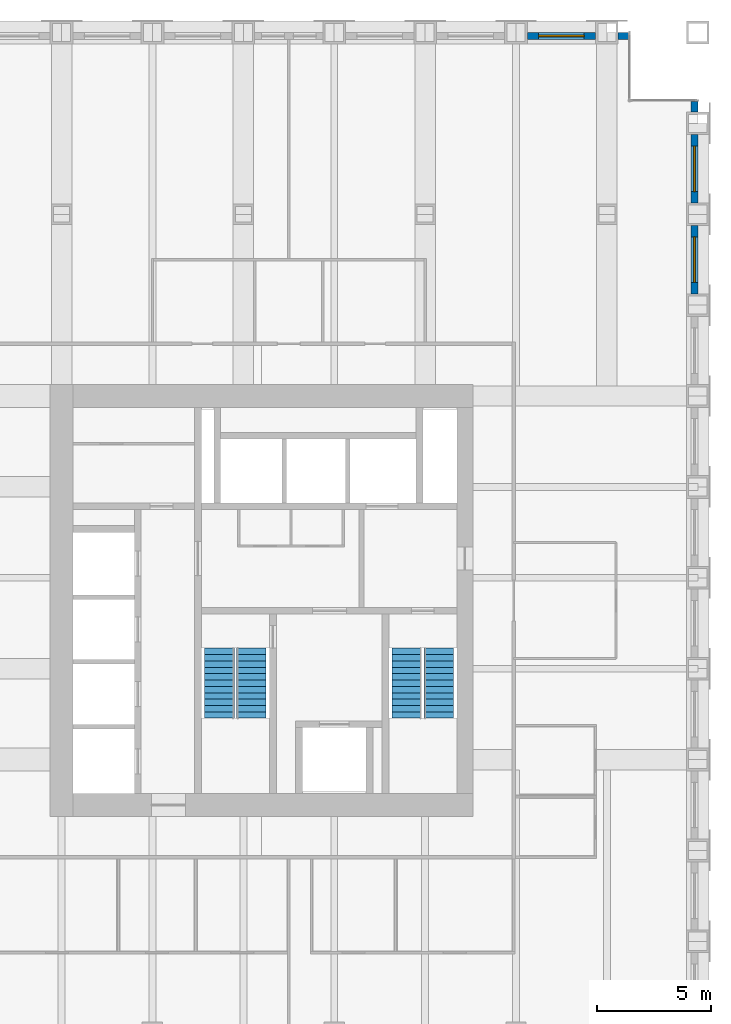
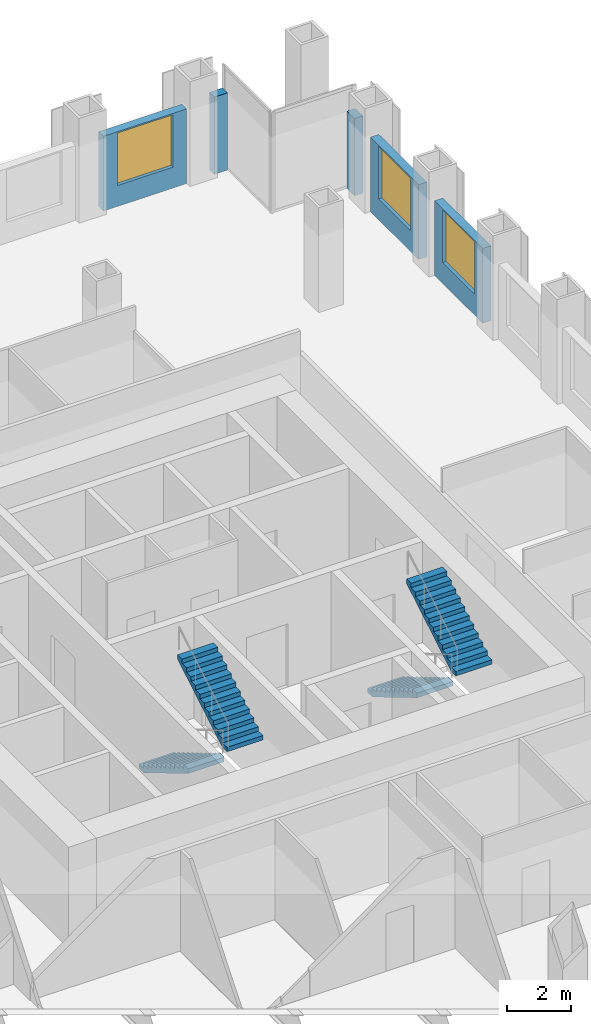
# One storey, part 11 of 12: 5 walls, 4 stair flights, 3 windows, 3 openings, 2 elements without a shape of their own.
"""IFC4 building model written with IfcOpenShell, lengths in metres."""

from ifc_helpers import new_model, si_unit, direction, frame, frame_2d, origin, place, context, subcontext, project, spatial, polyline, rectangle, outline, extrude, material, layer, layer_set, type_object, element, fill, aggregate, save


model = new_model("IFC4")

# Units and contexts
model_context = context("Model", 3, precision=1e-05, world=origin(), true_north=direction((0.0, 1.0)))
body_context = subcontext(model_context, "Body", "Model", "MODEL_VIEW")
ifc_project = project(units=[si_unit("LENGTHUNIT", "METRE"), si_unit("AREAUNIT", "SQUARE_METRE"), si_unit("VOLUMEUNIT", "CUBIC_METRE"), si_unit("PLANEANGLEUNIT", "RADIAN"), si_unit("MASSUNIT", "GRAM", prefix="KILO")], contexts=[model_context])

# Site, building, storey
site_placement = place(None, origin())
site = spatial("IfcSite", under=ifc_project, at=site_placement, CompositionType="ELEMENT")
building_placement = place(site_placement, origin())
building = spatial("IfcBuilding", under=site, at=building_placement, Name="Rimbunsela Tower", CompositionType="ELEMENT")
storey_placement = place(building_placement, frame((0.0, 0.0, 147.800048828125)))
storey = spatial("IfcBuildingStorey", under=building, at=storey_placement, Name="L35", CompositionType="ELEMENT", Elevation=147.800048828125)

# Wall, opening, window
ifc_material_1 = material(Name="Precast concrete fc' 35 MPa", Category="concrete")
ifc_layer = layer(ifc_material_1, 0.300048828125)
ifc_layer_set = layer_set([ifc_layer], Name="Precast concrete fc' 35 MPa")
wall_type = type_object("IfcWallType", Name="Precast facade panel 300", PredefinedType="ELEMENTEDWALL", material=ifc_layer_set)
wall_1_placement = place(storey_placement, frame((45.85009765625, 40.5, 0.0), z_axis=(0.0, 0.0, 1.0), x_axis=(0.0, 1.0, 0.0)))
wall_1 = element("IfcWall", 1, at=wall_1_placement, inside=storey, type_object=wall_type, Name="Facade panel E L35", PredefinedType="ELEMENTEDWALL", context=body_context, shape_type="SweptSolid", body=[
    extrude(rectangle(XDim=3.0, YDim=0.300048828125, at=frame_2d((1.5, 0.0))), origin(), (0.0, 0.0, 1.0), 2.849853515625),
])
opening_1_placement = place(wall_1_placement, frame((0.5, 0.0, 0.800048828125)))
opening_1 = element("IfcOpeningElement", 2, at=opening_1_placement, cuts=wall_1, Name="Opening W1", PredefinedType="OPENING", context=body_context, shape_type="SweptSolid", body=[
    extrude(rectangle(XDim=2.0, YDim=2.0, at=frame_2d((1.0, 1.0))), frame((0.0, 0.159912109375, 0.0), z_axis=(0.0, -1.0, 0.0), x_axis=(1.0, 0.0, 0.0)), (0.0, 0.0, 1.0), 0.320068359375),
])
ifc_material_2 = material(Name="Clear glass in aluminium frame", Category="aluminium")
window_type = type_object("IfcWindowType", Name="Window W1 2000x2000", PartitioningType="DOUBLE_PANEL_VERTICAL", PredefinedType="WINDOW", material=ifc_material_2)
window_1_placement = place(opening_1_placement, origin())
window_1 = element("IfcWindow", 3, at=window_1_placement, inside=storey, type_object=window_type, Name="Window L35", OverallHeight=2.0, OverallWidth=2.0, PartitioningType="SINGLE_PANEL", PredefinedType="WINDOW", context=body_context, shape_type="SweptSolid", body=[
    extrude(rectangle(XDim=2.0, YDim=2.0, at=frame_2d((1.0, 1.0))), frame((0.0, 0.030029296875, 0.0), z_axis=(0.0, -1.0, 0.0), x_axis=(1.0, 0.0, 0.0)), (0.0, 0.0, 1.0), 0.06005859375),
])
fill(opening_1, window_1)

wall_2_placement = place(storey_placement, frame((45.85009765625, 44.5, 0.0), z_axis=(0.0, 0.0, 1.0), x_axis=(0.0, 1.0, 0.0)))
wall_2 = element("IfcWall", 4, at=wall_2_placement, inside=storey, type_object=wall_type, Name="Facade panel E L35", PredefinedType="ELEMENTEDWALL", context=body_context, shape_type="SweptSolid", body=[
    extrude(rectangle(XDim=3.0, YDim=0.300048828125, at=frame_2d((1.5, 0.0))), origin(), (0.0, 0.0, 1.0), 2.849853515625),
])
opening_2_placement = place(wall_2_placement, frame((0.5, 0.0, 0.800048828125)))
opening_2 = element("IfcOpeningElement", 5, at=opening_2_placement, cuts=wall_2, Name="Opening W1", PredefinedType="OPENING", context=body_context, shape_type="SweptSolid", body=[
    extrude(rectangle(XDim=2.0, YDim=2.0, at=frame_2d((1.0, 1.0))), frame((0.0, 0.159912109375, 0.0), z_axis=(0.0, -1.0, 0.0), x_axis=(1.0, 0.0, 0.0)), (0.0, 0.0, 1.0), 0.320068359375),
])
window_2_placement = place(opening_2_placement, origin())
window_2 = element("IfcWindow", 6, at=window_2_placement, inside=storey, type_object=window_type, Name="Window L35", OverallHeight=2.0, OverallWidth=2.0, PartitioningType="SINGLE_PANEL", PredefinedType="WINDOW", context=body_context, shape_type="SweptSolid", body=[
    extrude(rectangle(XDim=2.0, YDim=2.0, at=frame_2d((1.0, 1.0))), frame((0.0, 0.030029296875, 0.0), z_axis=(0.0, -1.0, 0.0), x_axis=(1.0, 0.0, 0.0)), (0.0, 0.0, 1.0), 0.06005859375),
])
fill(opening_2, window_2)

# Wall
wall_3_placement = place(storey_placement, frame((45.85009765625, 48.5, 0.0), z_axis=(0.0, 0.0, 1.0), x_axis=(0.0, 1.0, 0.0)))
element("IfcWall", 7, at=wall_3_placement, inside=storey, type_object=wall_type, Name="Facade panel E L35", PredefinedType="ELEMENTEDWALL", context=body_context, shape_type="SweptSolid", body=[
    extrude(rectangle(XDim=0.469970703125, YDim=0.300048828125, at=frame_2d((0.23486328125, 0.0))), origin(), (0.0, 0.0, 1.0), 2.949951171875),
])

# Wall, opening, window
wall_4_placement = place(storey_placement, frame((41.5, 51.85009765625, 0.0), z_axis=(0.0, 0.0, 1.0), x_axis=(-1.0, 0.0, 0.0)))
wall_4 = element("IfcWall", 8, at=wall_4_placement, inside=storey, type_object=wall_type, Name="Facade panel N L35", PredefinedType="ELEMENTEDWALL", context=body_context, shape_type="SweptSolid", body=[
    extrude(rectangle(XDim=3.0, YDim=0.300048828125, at=frame_2d((1.5, 0.0))), origin(), (0.0, 0.0, 1.0), 2.849853515625),
])
opening_3_placement = place(wall_4_placement, frame((0.5, 0.0, 0.800048828125)))
opening_3 = element("IfcOpeningElement", 9, at=opening_3_placement, cuts=wall_4, Name="Opening W1", PredefinedType="OPENING", context=body_context, shape_type="SweptSolid", body=[
    extrude(rectangle(XDim=2.0, YDim=2.0, at=frame_2d((1.0, 1.0))), frame((0.0, 0.159912109375, 0.0), z_axis=(0.0, -1.0, 0.0), x_axis=(1.0, 0.0, 0.0)), (0.0, 0.0, 1.0), 0.320068359375),
])
window_3_placement = place(opening_3_placement, origin())
window_3 = element("IfcWindow", 10, at=window_3_placement, inside=storey, type_object=window_type, Name="Window L35", OverallHeight=2.0, OverallWidth=2.0, PartitioningType="SINGLE_PANEL", PredefinedType="WINDOW", context=body_context, shape_type="SweptSolid", body=[
    extrude(rectangle(XDim=2.0, YDim=2.0, at=frame_2d((1.0, 1.0))), frame((0.0, 0.030029296875, 0.0), z_axis=(0.0, -1.0, 0.0), x_axis=(1.0, 0.0, 0.0)), (0.0, 0.0, 1.0), 0.06005859375),
])
fill(opening_3, window_3)

# Wall
wall_5_placement = place(storey_placement, frame((42.969970703125, 51.85009765625, 0.0), z_axis=(0.0, 0.0, 1.0), x_axis=(-1.0, 0.0, 0.0)))
element("IfcWall", 11, at=wall_5_placement, inside=storey, type_object=wall_type, Name="Facade panel N L35", PredefinedType="ELEMENTEDWALL", context=body_context, shape_type="SweptSolid", body=[
    extrude(rectangle(XDim=0.469970703125, YDim=0.300048828125, at=frame_2d((0.23486328125, 0.0))), origin(), (0.0, 0.0, 1.0), 2.949951171875),
])

# Stair, stair flights
ifc_material_3 = material(Name="Concrete fc' 35 MPa", Category="concrete")
stair_type = type_object("IfcStairType", Name="Exit stair 24 risers", PredefinedType="HALF_TURN_STAIR", material=ifc_material_3)
stair_1_placement = place(storey_placement, origin())
stair_1 = element("IfcStair", 12, at=stair_1_placement, inside=storey, type_object=stair_type, Name="Exit stair A L35", PredefinedType="HALF_TURN_STAIR")
ifc_material_4 = material(Name="Concrete fc' 35 MPa", Category="concrete")
stair_flight_type = type_object("IfcStairFlightType", Name="Stair flight 12 risers 167", PredefinedType="STRAIGHT", material=ifc_material_4)
stair_flight_1_placement = place(storey_placement, frame((24.949951171875, 24.89990234375, 0.0), z_axis=(0.0, 0.0, 1.0), x_axis=(0.0, -1.0, 0.0)))
stair_flight_1 = element("IfcStairFlight", 13, at=stair_flight_1_placement, type_object=stair_flight_type, Name="ST-A flight 1", NumberOfRisers=12, NumberOfTreads=11, PredefinedType="STRAIGHT", RiserHeight=0.166666667, TreadLength=0.28, context=body_context, shape_type="SweptSolid", body=[
    extrude(outline(polyline([(0.0, 0.0), (0.0, 0.166748046875), (0.280029296875, 0.166748046875), (0.280029296875, 0.333251953125), (0.56005859375, 0.333251953125), (0.56005859375, 0.5), (0.840087890625, 0.5), (0.840087890625, 0.666748046875), (1.1201171875, 0.666748046875), (1.1201171875, 0.833251953125), (1.39990234375, 0.833251953125), (1.39990234375, 1.0), (1.679931640625, 1.0), (1.679931640625, 1.166748046875), (1.9599609375, 1.166748046875), (1.9599609375, 1.333251953125), (2.239990234375, 1.333251953125), (2.239990234375, 1.5), (2.52001953125, 1.5), (2.52001953125, 1.666748046875), (2.800048828125, 1.666748046875), (2.800048828125, 1.833251953125), (3.080078125, 1.833251953125), (3.080078125, 2.0), (3.080078125, 1.658935546875), (0.29296875, 0.0), (0.0, 0.0)])), frame((0.0, 0.64990234375, 0.0), z_axis=(0.0, -1.0, 0.0), x_axis=(1.0, 0.0, 0.0)), (0.0, 0.0, 1.0), 1.300048828125),
])
stair_flight_2_placement = place(storey_placement, frame((26.35009765625, 21.820068359375, 2.0), z_axis=(0.0, 0.0, 1.0), x_axis=(0.0, 1.0, 0.0)))
stair_flight_2 = element("IfcStairFlight", 14, at=stair_flight_2_placement, type_object=stair_flight_type, Name="ST-A flight 2", NumberOfRisers=12, NumberOfTreads=11, PredefinedType="STRAIGHT", RiserHeight=0.166666667, TreadLength=0.28, context=body_context, shape_type="SweptSolid", body=[
    extrude(outline(polyline([(0.0, 0.0), (0.0, 0.166748046875), (0.280029296875, 0.166748046875), (0.280029296875, 0.333251953125), (0.56005859375, 0.333251953125), (0.56005859375, 0.5), (0.840087890625, 0.5), (0.840087890625, 0.666748046875), (1.1201171875, 0.666748046875), (1.1201171875, 0.833251953125), (1.39990234375, 0.833251953125), (1.39990234375, 1.0), (1.679931640625, 1.0), (1.679931640625, 1.166748046875), (1.9599609375, 1.166748046875), (1.9599609375, 1.333251953125), (2.239990234375, 1.333251953125), (2.239990234375, 1.5), (2.52001953125, 1.5), (2.52001953125, 1.666748046875), (2.800048828125, 1.666748046875), (2.800048828125, 1.833251953125), (3.080078125, 1.833251953125), (3.080078125, 2.0), (3.080078125, 1.658935546875), (0.29296875, 0.0), (0.0, 0.0)])), frame((0.0, 0.64990234375, 0.0), z_axis=(0.0, -1.0, 0.0), x_axis=(1.0, 0.0, 0.0)), (0.0, 0.0, 1.0), 1.300048828125),
])
aggregate(stair_1, [stair_flight_1, stair_flight_2])

stair_2_placement = place(storey_placement, origin())
stair_2 = element("IfcStair", 15, at=stair_2_placement, inside=storey, type_object=stair_type, Name="Exit stair B L35", PredefinedType="HALF_TURN_STAIR")
stair_flight_3_placement = place(storey_placement, frame((33.199951171875, 24.89990234375, 0.0), z_axis=(0.0, 0.0, 1.0), x_axis=(0.0, -1.0, 0.0)))
stair_flight_3 = element("IfcStairFlight", 16, at=stair_flight_3_placement, type_object=stair_flight_type, Name="ST-B flight 1", NumberOfRisers=12, NumberOfTreads=11, PredefinedType="STRAIGHT", RiserHeight=0.166666667, TreadLength=0.28, context=body_context, shape_type="SweptSolid", body=[
    extrude(outline(polyline([(0.0, 0.0), (0.0, 0.166748046875), (0.280029296875, 0.166748046875), (0.280029296875, 0.333251953125), (0.56005859375, 0.333251953125), (0.56005859375, 0.5), (0.840087890625, 0.5), (0.840087890625, 0.666748046875), (1.1201171875, 0.666748046875), (1.1201171875, 0.833251953125), (1.39990234375, 0.833251953125), (1.39990234375, 1.0), (1.679931640625, 1.0), (1.679931640625, 1.166748046875), (1.9599609375, 1.166748046875), (1.9599609375, 1.333251953125), (2.239990234375, 1.333251953125), (2.239990234375, 1.5), (2.52001953125, 1.5), (2.52001953125, 1.666748046875), (2.800048828125, 1.666748046875), (2.800048828125, 1.833251953125), (3.080078125, 1.833251953125), (3.080078125, 2.0), (3.080078125, 1.658935546875), (0.29296875, 0.0), (0.0, 0.0)])), frame((0.0, 0.64990234375, 0.0), z_axis=(0.0, -1.0, 0.0), x_axis=(1.0, 0.0, 0.0)), (0.0, 0.0, 1.0), 1.300048828125),
])
stair_flight_4_placement = place(storey_placement, frame((34.60009765625, 21.820068359375, 2.0), z_axis=(0.0, 0.0, 1.0), x_axis=(0.0, 1.0, 0.0)))
stair_flight_4 = element("IfcStairFlight", 17, at=stair_flight_4_placement, type_object=stair_flight_type, Name="ST-B flight 2", NumberOfRisers=12, NumberOfTreads=11, PredefinedType="STRAIGHT", RiserHeight=0.166666667, TreadLength=0.28, context=body_context, shape_type="SweptSolid", body=[
    extrude(outline(polyline([(0.0, 0.0), (0.0, 0.166748046875), (0.280029296875, 0.166748046875), (0.280029296875, 0.333251953125), (0.56005859375, 0.333251953125), (0.56005859375, 0.5), (0.840087890625, 0.5), (0.840087890625, 0.666748046875), (1.1201171875, 0.666748046875), (1.1201171875, 0.833251953125), (1.39990234375, 0.833251953125), (1.39990234375, 1.0), (1.679931640625, 1.0), (1.679931640625, 1.166748046875), (1.9599609375, 1.166748046875), (1.9599609375, 1.333251953125), (2.239990234375, 1.333251953125), (2.239990234375, 1.5), (2.52001953125, 1.5), (2.52001953125, 1.666748046875), (2.800048828125, 1.666748046875), (2.800048828125, 1.833251953125), (3.080078125, 1.833251953125), (3.080078125, 2.0), (3.080078125, 1.658935546875), (0.29296875, 0.0), (0.0, 0.0)])), frame((0.0, 0.64990234375, 0.0), z_axis=(0.0, -1.0, 0.0), x_axis=(1.0, 0.0, 0.0)), (0.0, 0.0, 1.0), 1.300048828125),
])
aggregate(stair_2, [stair_flight_3, stair_flight_4])

save(model, "model.ifc")
